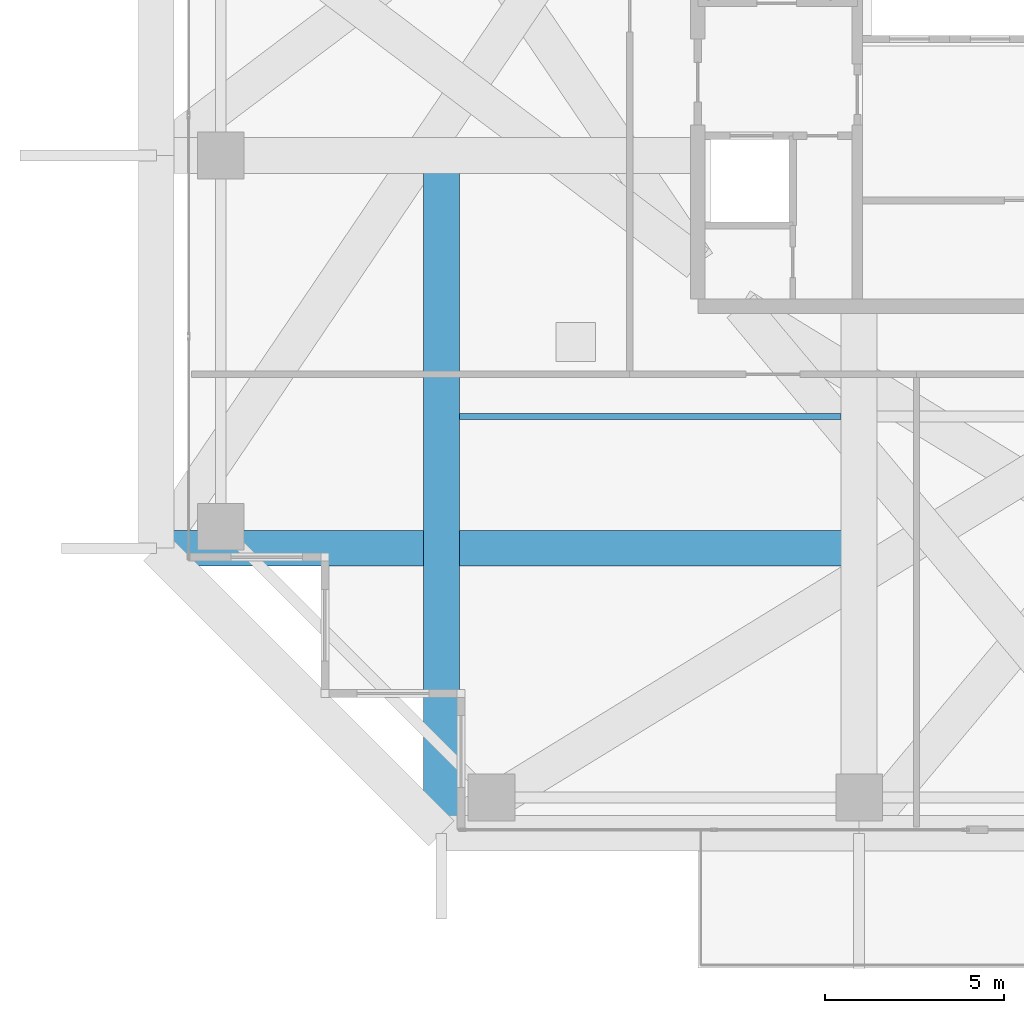
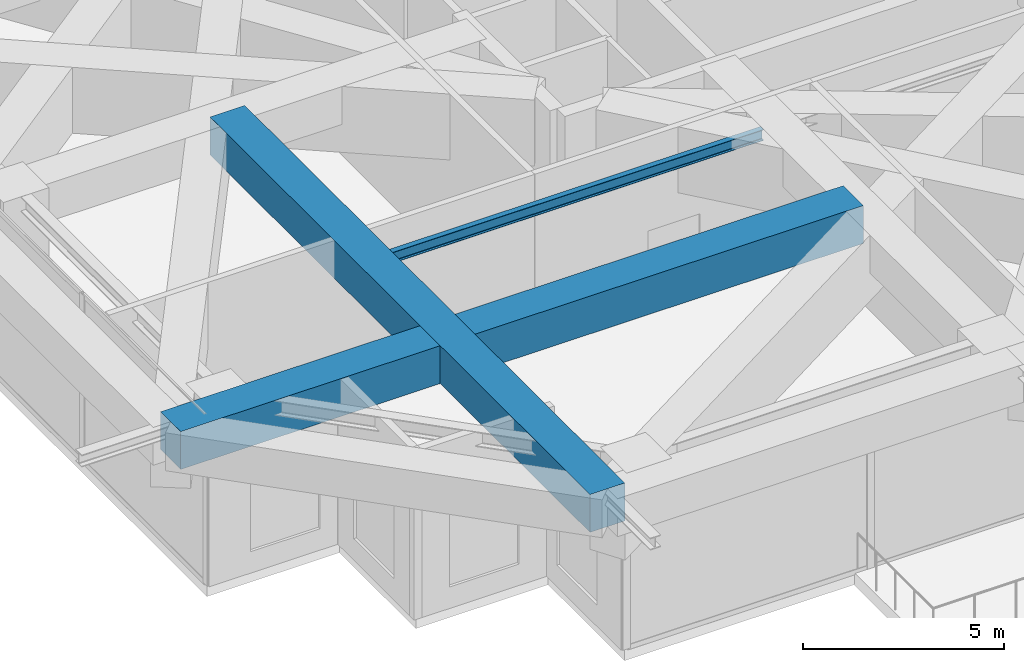
# One storey, part 4 of 38: 3 beams.
"""IFC4 building model written with IfcOpenShell, lengths in metres."""

from ifc_helpers import new_model, si_unit, direction, frame, origin, origin_2d, place, context, subcontext, project, spatial, rectangle, i_section, extrude, source, transform, mapped, material, material_profile, profile_set, type_object, element, save


model = new_model("IFC4")

# Units and contexts
model_context = context("Model", 3, precision=1e-05, world=origin(), true_north=direction((0.0, 1.0)))
body_context = subcontext(model_context, "Body", "Model", "MODEL_VIEW")
ifc_project = project(units=[si_unit("LENGTHUNIT", "METRE"), si_unit("AREAUNIT", "SQUARE_METRE"), si_unit("VOLUMEUNIT", "CUBIC_METRE"), si_unit("PLANEANGLEUNIT", "RADIAN"), si_unit("MASSUNIT", "GRAM", prefix="KILO")], contexts=[model_context])

# Site, building, storey
site_placement = place(None, origin())
site = spatial("IfcSite", under=ifc_project, at=site_placement, CompositionType="ELEMENT")
building_placement = place(site_placement, origin())
building = spatial("IfcBuilding", under=site, at=building_placement, Name="Serunith Strait Residences", CompositionType="ELEMENT")
storey_placement = place(building_placement, frame((0.0, 0.0, 204.89990234375)))
storey = spatial("IfcBuildingStorey", under=building, at=storey_placement, Name="L51", CompositionType="ELEMENT", Elevation=204.89990234375)

# Beams
ifc_material_1 = material(Name="Concrete C80/95", Category="concrete")
ifc_material_profile_1 = material_profile(ifc_material_1, rectangle(XDim=1.0, YDim=1.14990234375, at=origin_2d()), Name="RC 1000x1150")
ifc_profile_set_1 = profile_set([ifc_material_profile_1], Name="Concrete C80/95")
beam_type_1 = type_object("IfcBeamType", Name="BM-XFER-1000x1150", PredefinedType="BEAM", material=ifc_profile_set_1)
shared_shape_1 = source(origin(), body_context, "Body", "SweptSolid", [
    extrude(rectangle(XDim=1.0, YDim=1.14990234375, at=origin_2d()), origin(), (0.0, 0.0, 1.0), 18.89990234375),
])
beam_1_placement = place(storey_placement, frame((16.25, 21.0, 4.53515625), z_axis=(0.0, -1.0, 0.0), x_axis=(1.0, 0.0, 0.0)))
element("IfcBeam", 1, at=beam_1_placement, inside=storey, type_object=beam_type_1, Name="L51 Orthogonal Corner Girder TC-S1", PredefinedType="BEAM", context=body_context, shape_type="MappedRepresentation", body=[
    mapped(shared_shape_1, transform((0.0, 0.0, 0.0), scale=1.0)),
])
shared_shape_2 = source(origin(), body_context, "Body", "SweptSolid", [
    extrude(rectangle(XDim=1.0, YDim=1.14990234375, at=origin_2d()), origin(), (0.0, 0.0, 1.0), 19.599853515625),
])
beam_2_placement = place(storey_placement, frame((27.89990234375, 10.050048828125, 4.53515625), z_axis=(-1.0, 0.0, 0.0), x_axis=(0.0, -1.0, 0.0)))
element("IfcBeam", 2, at=beam_2_placement, inside=storey, type_object=beam_type_1, Name="L51 Orthogonal Corner Girder TC-W1", PredefinedType="BEAM", context=body_context, shape_type="MappedRepresentation", body=[
    mapped(shared_shape_2, transform((0.0, 0.0, 0.0), scale=1.0)),
])
ifc_material_2 = material(Name="Steel S355J2", Category="steel")
ifc_material_profile_2 = material_profile(ifc_material_2, i_section(OverallWidth=0.159912109375, OverallDepth=0.330078125, WebThickness=0.007568359375, FlangeThickness=0.011474609375, FilletRadius=0.01806640625, at=origin_2d()), Name="IPE 330")
ifc_profile_set_2 = profile_set([ifc_material_profile_2], Name="Steel S355J2")
beam_type_2 = type_object("IfcBeamType", Name="BM-IPE330", PredefinedType="JOIST", material=ifc_profile_set_2)
shared_shape_3 = source(origin(), body_context, "Body", "SweptSolid", [
    extrude(i_section(OverallWidth=0.159912109375, OverallDepth=0.330078125, WebThickness=0.007568359375, FlangeThickness=0.011474609375, FilletRadius=0.01806640625, at=origin_2d()), origin(), (0.0, 0.0, 1.0), 10.64990234375),
])
beam_3_placement = place(storey_placement, frame((16.75, 13.72509765625, 4.942138671875), z_axis=(1.0, 0.0, 0.0), x_axis=(0.0, 1.0, 0.0)))
element("IfcBeam", 3, at=beam_3_placement, inside=storey, type_object=beam_type_2, Name="L51 Composite Floor Joist 01", PredefinedType="JOIST", context=body_context, shape_type="MappedRepresentation", body=[
    mapped(shared_shape_3, transform((0.0, 0.0, 0.0), scale=1.0)),
])

save(model, "model.ifc")
